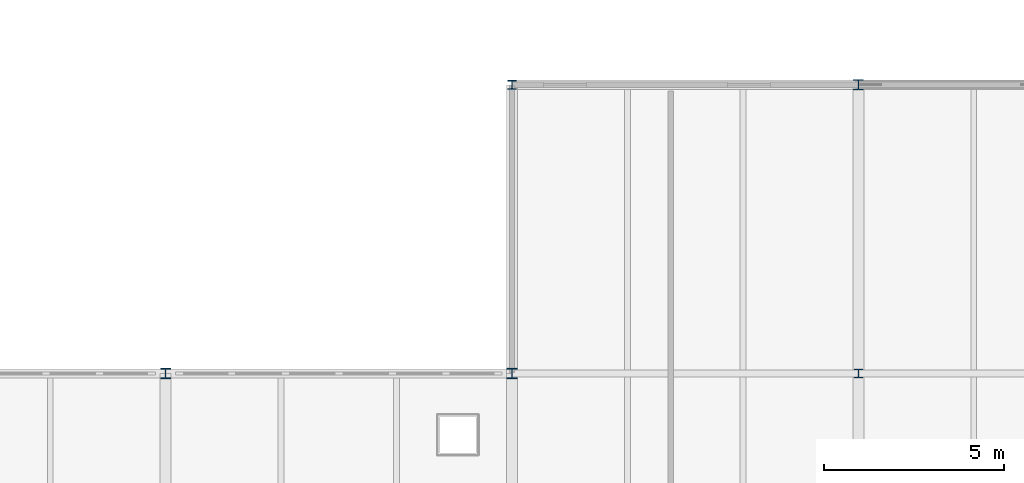
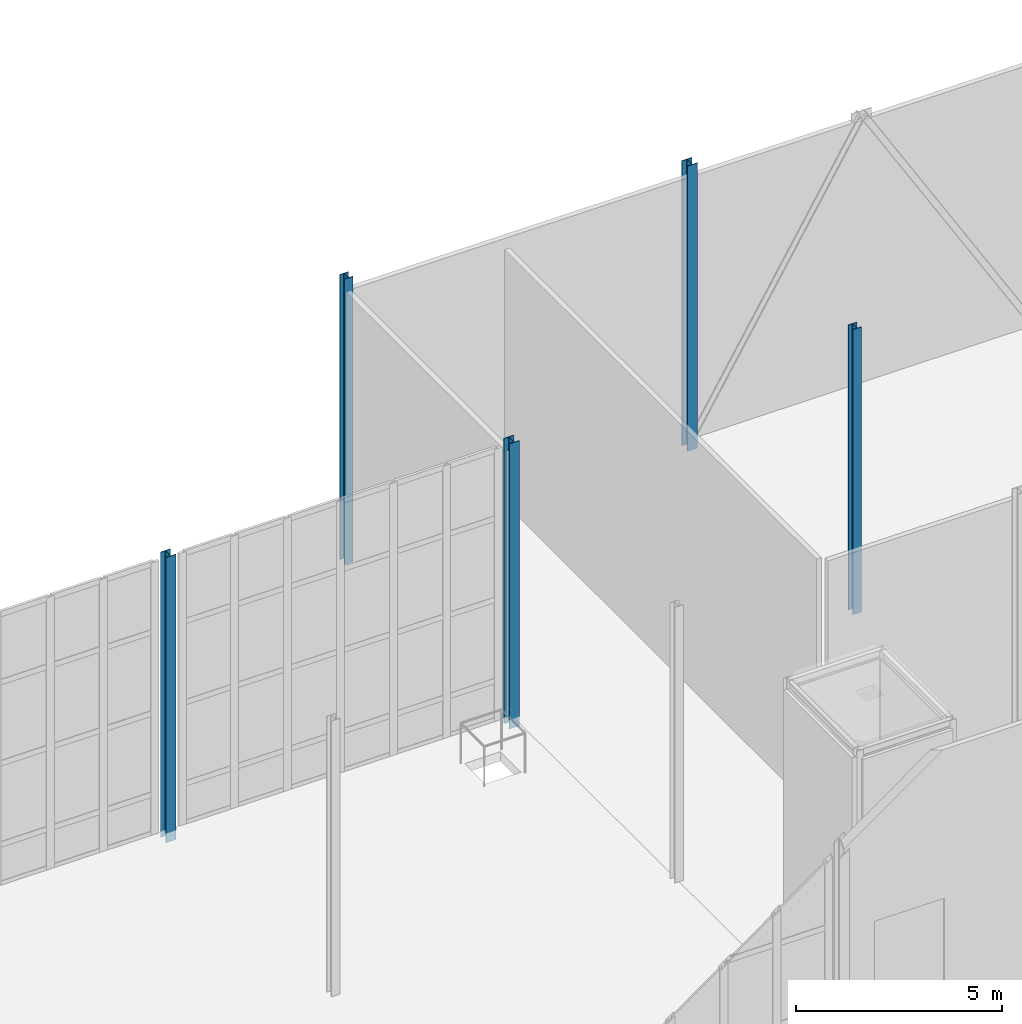
# One storey, part 10 of 73: 5 columns.
"""IFC4 building model written with IfcOpenShell, lengths in metres."""

import ifcopenshell
import ifcopenshell.guid

model = None  # the IFC model being written
_history = None  # IfcOwnerHistory: only IFC2X3 demands one
_inside = {}  # id of a spatial element -> (the spatial element, [elements in it])
_under = {}  # id of a project, library or spatial element -> (it, [spatial elements below it])
_declared = {}  # id of a project -> (the project, [libraries it declares])
_typed = {}  # id of a type object -> (the type object, [elements of that type])
_made_of = {}  # id of a material, layer set ... -> (it, [elements and type objects made of it])


def new_model(schema):
    """Start an empty IFC model of exactly this schema.

    Asked for "IFC4X3", IfcOpenShell would pick the latest addendum, in which some entities
    have other attributes; the version numbers below select the first issue.
    IFC2X3 requires an IfcOwnerHistory on every rooted entity: one is made here for all.
    """
    global model, _history
    if schema == "IFC4X3":
        model = ifcopenshell.file(schema_version=(4, 3, 0, 0))
    else:
        model = ifcopenshell.file(schema=schema)
    _inside.clear()
    _under.clear()
    _declared.clear()
    _typed.clear()
    _made_of.clear()
    _history = None
    if model.schema == "IFC2X3":
        org = make("IfcOrganization", Name="unknown")
        user = make(
            "IfcPersonAndOrganization",
            ThePerson=make("IfcPerson", FamilyName="unknown"),
            TheOrganization=org,
        )
        app = make(
            "IfcApplication",
            ApplicationDeveloper=org,
            Version="unknown",
            ApplicationFullName="unknown",
            ApplicationIdentifier="unknown",
        )
        _history = make(
            "IfcOwnerHistory",
            OwningUser=user,
            OwningApplication=app,
            ChangeAction="ADDED",
            CreationDate=0,
        )
    return model


def make(cls, **values):
    """One entity of the class cls with the attributes given. An attribute that is None is left unset."""
    return model.create_entity(
        cls, **{name: value for name, value in values.items() if value is not None}
    )


def rooted(cls, **values):
    """An entity with a GlobalId (a new one), such as an element, a storey or a relation."""
    return make(cls, GlobalId=ifcopenshell.guid.new(), OwnerHistory=_history, **values)


def si_unit(unit_type, name, prefix=None):
    """IfcSIUnit, for example si_unit("LENGTHUNIT", "METRE", prefix="MILLI")."""
    return make("IfcSIUnit", UnitType=unit_type, Prefix=prefix, Name=name)


def assignment(units):
    """IfcUnitAssignment: the units of a project."""
    return None if units is None else make("IfcUnitAssignment", Units=units)


def point(xyz):
    """IfcCartesianPoint."""
    return None if xyz is None else make("IfcCartesianPoint", Coordinates=xyz)


def direction(xyz):
    """IfcDirection."""
    return None if xyz is None else make("IfcDirection", DirectionRatios=xyz)


def frame(location, z_axis=None, x_axis=None):
    """IfcAxis2Placement3D, a coordinate frame: its origin and axes. An axis left out is left unset."""
    return make(
        "IfcAxis2Placement3D",
        Location=point(location),
        Axis=direction(z_axis),
        RefDirection=direction(x_axis),
    )


def frame_2d(location, x_axis=None):
    """IfcAxis2Placement2D, a coordinate frame in the plane: its origin and x axis."""
    return make(
        "IfcAxis2Placement2D", Location=point(location), RefDirection=direction(x_axis)
    )


def origin():
    """The frame at (0, 0, 0) with its axes left unset."""
    return frame((0.0, 0.0, 0.0))


def origin_2d():
    """The frame at (0, 0) in the plane with its x axis left unset."""
    return frame_2d((0.0, 0.0))


def place(relative_to, where):
    """IfcLocalPlacement: puts the frame where relative to a parent placement (None: the world)."""
    return make(
        "IfcLocalPlacement", PlacementRelTo=relative_to, RelativePlacement=where
    )


def context(
    kind, dimensions, precision=None, world=None, true_north=None, identifier=None
):
    """IfcGeometricRepresentationContext, for example the 3D "Model" context."""
    return make(
        "IfcGeometricRepresentationContext",
        ContextIdentifier=identifier,
        ContextType=kind,
        CoordinateSpaceDimension=dimensions,
        Precision=precision,
        WorldCoordinateSystem=world,
        TrueNorth=true_north,
    )


def subcontext(parent, identifier, kind, view, scale=None):
    """IfcGeometricRepresentationSubContext, for example "Body" below "Model"."""
    return make(
        "IfcGeometricRepresentationSubContext",
        ContextIdentifier=identifier,
        ContextType=kind,
        ParentContext=parent,
        TargetScale=scale,
        TargetView=view,
    )


def project(units=None, contexts=None):
    """IfcProject with its units and contexts."""
    return rooted(
        "IfcProject",
        Name="project",
        RepresentationContexts=contexts,
        UnitsInContext=assignment(units),
    )


def spatial(cls, under=None, at=None, **own):
    """A site, building, storey or space (cls), placed at a placement, below another one or the project."""
    s = rooted(cls, ObjectPlacement=at, **own)
    if under is not None:
        _under.setdefault(under.id(), (under, []))[1].append(s)
    return s


def profile(cls, at=None, kind="AREA", **sizes):
    """A parametric profile (cls). Its sizes go by their IFC names, for example OverallWidth=200.0."""
    return make(cls, ProfileType=kind, Position=at, **sizes)


def i_section(**sizes):
    """IfcIShapeProfileDef."""
    return profile("IfcIShapeProfileDef", **sizes)


def extrude(swept, where, along, depth):
    """IfcExtrudedAreaSolid: the profile swept, set in the frame where, extruded along a direction by depth."""
    return make(
        "IfcExtrudedAreaSolid",
        SweptArea=swept,
        Position=where,
        ExtrudedDirection=direction(along),
        Depth=depth,
    )


def shape(context_of_items, identifier, shape_type, items):
    """IfcShapeRepresentation: the items that make up one representation, for example the "Body"."""
    return make(
        "IfcShapeRepresentation",
        ContextOfItems=context_of_items,
        RepresentationIdentifier=identifier,
        RepresentationType=shape_type,
        Items=items,
    )


def material(Name=None, Category=None):
    """IfcMaterial."""
    return make("IfcMaterial", Name=Name, Category=Category)


def material_profile(
    of_material, cross_section, Name=None, Category=None, Priority=None
):
    """IfcMaterialProfile: a cross section and its material."""
    return make(
        "IfcMaterialProfile",
        Name=Name,
        Material=of_material,
        Profile=cross_section,
        Priority=Priority,
        Category=Category,
    )


def profile_set(profiles, Name=None, composite=None):
    """IfcMaterialProfileSet."""
    return make(
        "IfcMaterialProfileSet",
        Name=Name,
        MaterialProfiles=profiles,
        CompositeProfile=composite,
    )


def made_of(thing, what):
    """Note that an element or type object is made of a material, layer set ...; save() writes the relation."""
    if what is not None:
        _made_of.setdefault(what.id(), (what, []))[1].append(thing)
    return thing


def type_object(cls, material=None, **own):
    """A type object (cls), such as IfcWallType, which elements share."""
    return made_of(rooted(cls, **own), material)


def element(
    cls,
    number,
    at=None,
    inside=None,
    cuts=None,
    type_object=None,
    material=None,
    context=None,
    identifier="Body",
    shape_type=None,
    held_by="IfcProductDefinitionShape",
    body=None,
    shapes=None,
    **own,
):
    """One element of the class cls, such as IfcWall. Its Tag is "e" and its number.

    at: its placement. inside: the storey or other place that contains it. cuts: it is an
    opening in that element (IfcRelVoidsElement). A single representation is given by context,
    identifier, shape_type and body (its items); several are given by shapes. held_by: the class
    of the entity that holds the representations. save() writes the other relations.
    """
    e = rooted(cls, Tag="e%d" % number, ObjectPlacement=at, **own)
    if body is not None:
        shapes = [shape(context, identifier, shape_type, body)]
    if shapes is not None:
        e.Representation = make(held_by, Representations=shapes)
    if inside is not None:
        _inside.setdefault(inside.id(), (inside, []))[1].append(e)
    if cuts is not None:
        rooted(
            "IfcRelVoidsElement", RelatingBuildingElement=cuts, RelatedOpeningElement=e
        )
    if type_object is not None:
        _typed.setdefault(type_object.id(), (type_object, []))[1].append(e)
    return made_of(e, material)


def aggregate(whole, parts):
    """IfcRelAggregates: a whole, such as a stair, and the parts it consists of."""
    return rooted("IfcRelAggregates", RelatingObject=whole, RelatedObjects=parts)


def save(model, path):
    """Write the relations noted so far, then the file.

    IfcRelAggregates (storeys below a building ...), IfcRelContainedInSpatialStructure (elements
    in a storey), IfcRelDefinesByType, IfcRelAssociatesMaterial and IfcRelDeclares: one each for
    every whole, place, type object, material and project.
    """
    for whole, parts in _under.values():
        aggregate(whole, parts)
    for where, things in _inside.values():
        rooted(
            "IfcRelContainedInSpatialStructure",
            RelatedElements=things,
            RelatingStructure=where,
        )
    for kind, things in _typed.values():
        rooted("IfcRelDefinesByType", RelatedObjects=things, RelatingType=kind)
    for what, things in _made_of.values():
        rooted("IfcRelAssociatesMaterial", RelatedObjects=things, RelatingMaterial=what)
    for by, libraries in _declared.values():
        rooted("IfcRelDeclares", RelatingContext=by, RelatedDefinitions=libraries)
    model.write(path)


model = new_model("IFC4")

# Units and contexts
model_context = context("Model", 3, precision=1e-05, world=origin(), true_north=direction((0.0, 1.0)))
body_context = subcontext(model_context, "Body", "Model", "MODEL_VIEW")
ifc_project = project(units=[si_unit("LENGTHUNIT", "METRE"), si_unit("AREAUNIT", "SQUARE_METRE"), si_unit("VOLUMEUNIT", "CUBIC_METRE"), si_unit("PLANEANGLEUNIT", "RADIAN"), si_unit("MASSUNIT", "GRAM", prefix="KILO")], contexts=[model_context])

# Site, building, storey
site_placement = place(None, origin())
site = spatial("IfcSite", under=ifc_project, at=site_placement, CompositionType="ELEMENT")
building_placement = place(site_placement, origin())
building = spatial("IfcBuilding", under=site, at=building_placement, Name="Alderhovde Museum", CompositionType="ELEMENT")
storey_placement = place(building_placement, frame((0.0, 0.0, 17.39990234375)))
storey = spatial("IfcBuildingStorey", under=building, at=storey_placement, Name="L04", CompositionType="ELEMENT", Elevation=17.39990234375)

# Columns
ifc_material_1 = material(Name="Steel S355J2", Category="steel")
ifc_material_profile_1 = material_profile(ifc_material_1, i_section(OverallWidth=0.239990234375, OverallDepth=0.239990234375, WebThickness=0.010009765625, FlangeThickness=0.01708984375, FilletRadius=0.02099609375, at=origin_2d()), Name="HEB 240")
ifc_profile_set_1 = profile_set([ifc_material_profile_1], Name="Steel S355J2")
column_type_1 = type_object("IfcColumnType", Name="COL-HEB240", PredefinedType="COLUMN", material=ifc_profile_set_1)
for number, where, z_axis, x_axis, name in (
    (1, (115.199951171875, 96.0, -0.27978515625), (0.0, 0.0, 1.0), (1.0, 0.0, 0.0), "L04 Column (115.2, 96.0)"),
    (2, (124.800048828125, 88.0, -0.27978515625), (0.0, 0.0, 1.0), (1.0, 0.0, 0.0), "L04 Column (124.8, 88.0)"),
):
    element("IfcColumn", number, at=place(storey_placement, frame(where, z_axis=z_axis, x_axis=x_axis)), inside=storey, type_object=column_type_1, Name=name, PredefinedType="COLUMN", context=body_context, shape_type="SweptSolid", body=[
        extrude(i_section(OverallWidth=0.239990234375, OverallDepth=0.239990234375, WebThickness=0.010009765625, FlangeThickness=0.01708984375, FilletRadius=0.02099609375, at=origin_2d()), origin(), (0.0, 0.0, 1.0), 8.429931640625),
    ])
ifc_material_2 = material(Name="Steel S355J2", Category="steel")
ifc_material_profile_2 = material_profile(ifc_material_2, i_section(OverallWidth=0.280029296875, OverallDepth=0.280029296875, WebThickness=0.010498046875, FlangeThickness=0.01806640625, FilletRadius=0.02392578125, at=origin_2d()), Name="HEB 280")
ifc_profile_set_2 = profile_set([ifc_material_profile_2], Name="Steel S355J2")
column_type_2 = type_object("IfcColumnType", Name="COL-HEB280", PredefinedType="COLUMN", material=ifc_profile_set_2)
for number, where, z_axis, x_axis, name in (
    (3, (105.60009765625, 88.0, -0.27978515625), (0.0, 0.0, 1.0), (1.0, 0.0, 0.0), "L04 Column (105.6, 88.0)"),
    (4, (115.199951171875, 88.0, -0.27978515625), (0.0, 0.0, 1.0), (1.0, 0.0, 0.0), "L04 Column (115.2, 88.0)"),
    (5, (124.800048828125, 96.0, -0.27978515625), (0.0, 0.0, 1.0), (1.0, 0.0, 0.0), "L04 Column (124.8, 96.0)"),
):
    element("IfcColumn", number, at=place(storey_placement, frame(where, z_axis=z_axis, x_axis=x_axis)), inside=storey, type_object=column_type_2, Name=name, PredefinedType="COLUMN", context=body_context, shape_type="SweptSolid", body=[
        extrude(i_section(OverallWidth=0.280029296875, OverallDepth=0.280029296875, WebThickness=0.010498046875, FlangeThickness=0.01806640625, FilletRadius=0.02392578125, at=origin_2d()), origin(), (0.0, 0.0, 1.0), 8.429931640625),
    ])

save(model, "model.ifc")
